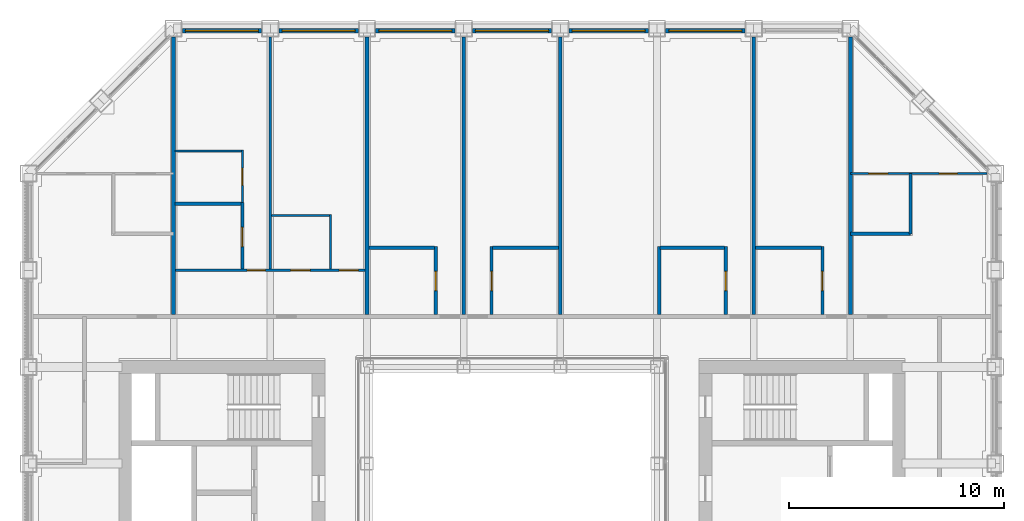
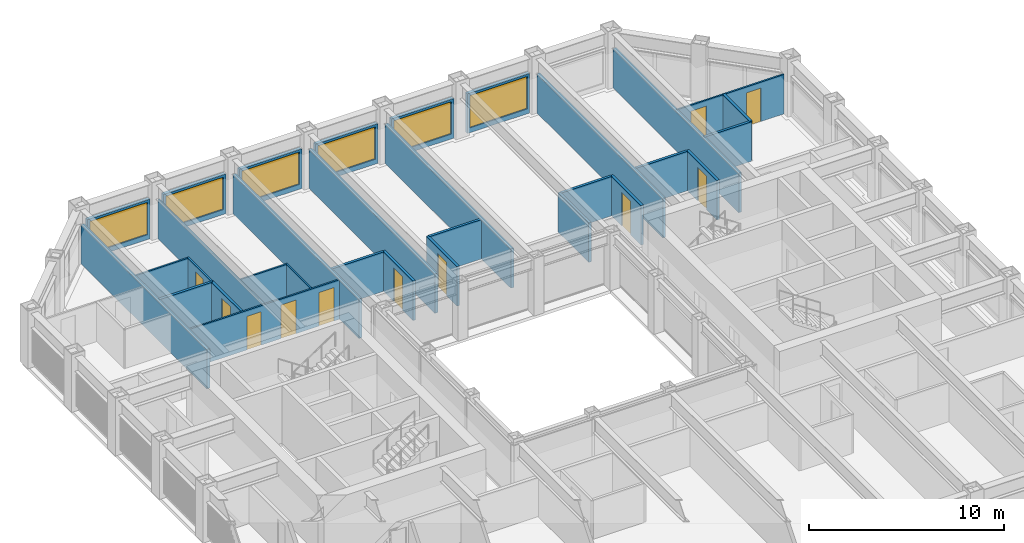
# One storey, part 13 of 17: 32 walls, 11 doors, 6 windows, 17 openings.
"""IFC4 building model written with IfcOpenShell, lengths in metres."""

from ifc_helpers import new_model, si_unit, direction, frame, frame_2d, origin, place, context, subcontext, project, spatial, rectangle, extrude, material, layer, layer_set, type_object, element, fill, save


model = new_model("IFC4")

# Units and contexts
model_context = context("Model", 3, precision=1e-05, world=origin(), true_north=direction((0.0, 1.0)))
body_context = subcontext(model_context, "Body", "Model", "MODEL_VIEW")
ifc_project = project(units=[si_unit("LENGTHUNIT", "METRE"), si_unit("AREAUNIT", "SQUARE_METRE"), si_unit("VOLUMEUNIT", "CUBIC_METRE"), si_unit("PLANEANGLEUNIT", "RADIAN"), si_unit("MASSUNIT", "GRAM", prefix="KILO")], contexts=[model_context])

# Site, building, storey
site_placement = place(None, origin())
site = spatial("IfcSite", under=ifc_project, at=site_placement, CompositionType="ELEMENT")
building_placement = place(site_placement, origin())
building = spatial("IfcBuilding", under=site, at=building_placement, Name="Msasa Ring Tower", CompositionType="ELEMENT")
storey_placement = place(building_placement, frame((0.0, 0.0, 179.60009765625)))
storey = spatial("IfcBuildingStorey", under=building, at=storey_placement, Name="L47", CompositionType="ELEMENT", Elevation=179.60009765625)

# Wall, opening, window
ifc_material_1 = material(Name="Terracotta rainscreen on blockwork", Category="masonry")
ifc_layer_1 = layer(ifc_material_1, 0.199951171875)
ifc_layer_set_1 = layer_set([ifc_layer_1], Name="FW1 TERRACOTTA-LINED INFILL BAY WALL 200")
wall_type_1 = type_object("IfcWallType", Name="FW1 TERRACOTTA-LINED INFILL BAY WALL 200", PredefinedType="SOLIDWALL", material=ifc_layer_set_1)
wall_1_placement = place(storey_placement, frame((-15.344970703125, 22.39990234375, 0.0), z_axis=(0.0, 0.0, 1.0), x_axis=(1.0, 0.0, 0.0)))
wall_1 = element("IfcWall", 1, at=wall_1_placement, inside=storey, type_object=wall_type_1, Name="Infill bay wall N L47 18", PredefinedType="SOLIDWALL", context=body_context, shape_type="SweptSolid", body=[
    extrude(rectangle(XDim=3.68994140625, YDim=0.199951171875, at=frame_2d((1.844970703125, 0.0))), origin(), (0.0, 0.0, 1.0), 2.47900390625),
])
opening_1_placement = place(wall_1_placement, frame((0.14501953125, 0.0, 0.300048828125)))
opening_1 = element("IfcOpeningElement", 2, at=opening_1_placement, cuts=wall_1, Name="Opening WN2", PredefinedType="OPENING", context=body_context, shape_type="SweptSolid", body=[
    extrude(rectangle(XDim=3.39990234375, YDim=2.029052734375, at=frame_2d((1.699951171875, 1.0146484375))), frame((0.0, 0.10986328125, 0.0), z_axis=(0.0, -1.0, 0.0), x_axis=(1.0, 0.0, 0.0)), (0.0, 0.0, 1.0), 0.219970703125),
])
ifc_material_2 = material(Name="Aluminium frame with clear glass", Category="aluminium")
window_type = type_object("IfcWindowType", Name="WN2 GUEST ROOM WINDOW 3400x2029", PartitioningType="SINGLE_PANEL", PredefinedType="WINDOW", material=ifc_material_2)
window_1_placement = place(opening_1_placement, origin())
window_1 = element("IfcWindow", 3, at=window_1_placement, inside=storey, type_object=window_type, Name="Window N L47 18", OverallHeight=2.029052734375, OverallWidth=3.39990234375, PartitioningType="SINGLE_PANEL", PredefinedType="WINDOW", context=body_context, shape_type="SweptSolid", body=[
    extrude(rectangle(XDim=3.39990234375, YDim=2.029052734375, at=frame_2d((1.699951171875, 1.0146484375))), frame((0.0, 0.030029296875, 0.0), z_axis=(0.0, -1.0, 0.0), x_axis=(1.0, 0.0, 0.0)), (0.0, 0.0, 1.0), 0.06005859375),
])
fill(opening_1, window_1)

wall_2_placement = place(storey_placement, frame((-10.844970703125, 22.39990234375, 0.0), z_axis=(0.0, 0.0, 1.0), x_axis=(1.0, 0.0, 0.0)))
wall_2 = element("IfcWall", 4, at=wall_2_placement, inside=storey, type_object=wall_type_1, Name="Infill bay wall N L47 19", PredefinedType="SOLIDWALL", context=body_context, shape_type="SweptSolid", body=[
    extrude(rectangle(XDim=3.68994140625, YDim=0.199951171875, at=frame_2d((1.844970703125, 0.0))), origin(), (0.0, 0.0, 1.0), 2.47900390625),
])
opening_2_placement = place(wall_2_placement, frame((0.14501953125, 0.0, 0.300048828125)))
opening_2 = element("IfcOpeningElement", 5, at=opening_2_placement, cuts=wall_2, Name="Opening WN2", PredefinedType="OPENING", context=body_context, shape_type="SweptSolid", body=[
    extrude(rectangle(XDim=3.39990234375, YDim=2.029052734375, at=frame_2d((1.699951171875, 1.0146484375))), frame((0.0, 0.10986328125, 0.0), z_axis=(0.0, -1.0, 0.0), x_axis=(1.0, 0.0, 0.0)), (0.0, 0.0, 1.0), 0.219970703125),
])
window_2_placement = place(opening_2_placement, origin())
window_2 = element("IfcWindow", 6, at=window_2_placement, inside=storey, type_object=window_type, Name="Window N L47 19", OverallHeight=2.029052734375, OverallWidth=3.39990234375, PartitioningType="SINGLE_PANEL", PredefinedType="WINDOW", context=body_context, shape_type="SweptSolid", body=[
    extrude(rectangle(XDim=3.39990234375, YDim=2.029052734375, at=frame_2d((1.699951171875, 1.0146484375))), frame((0.0, 0.030029296875, 0.0), z_axis=(0.0, -1.0, 0.0), x_axis=(1.0, 0.0, 0.0)), (0.0, 0.0, 1.0), 0.06005859375),
])
fill(opening_2, window_2)

wall_3_placement = place(storey_placement, frame((-6.344970703125, 22.39990234375, 0.0), z_axis=(0.0, 0.0, 1.0), x_axis=(1.0, 0.0, 0.0)))
wall_3 = element("IfcWall", 7, at=wall_3_placement, inside=storey, type_object=wall_type_1, Name="Infill bay wall N L47 20", PredefinedType="SOLIDWALL", context=body_context, shape_type="SweptSolid", body=[
    extrude(rectangle(XDim=3.68994140625, YDim=0.199951171875, at=frame_2d((1.844970703125, 0.0))), origin(), (0.0, 0.0, 1.0), 2.47900390625),
])
opening_3_placement = place(wall_3_placement, frame((0.14501953125, 0.0, 0.300048828125)))
opening_3 = element("IfcOpeningElement", 8, at=opening_3_placement, cuts=wall_3, Name="Opening WN2", PredefinedType="OPENING", context=body_context, shape_type="SweptSolid", body=[
    extrude(rectangle(XDim=3.39990234375, YDim=2.029052734375, at=frame_2d((1.699951171875, 1.0146484375))), frame((0.0, 0.10986328125, 0.0), z_axis=(0.0, -1.0, 0.0), x_axis=(1.0, 0.0, 0.0)), (0.0, 0.0, 1.0), 0.219970703125),
])
window_3_placement = place(opening_3_placement, origin())
window_3 = element("IfcWindow", 9, at=window_3_placement, inside=storey, type_object=window_type, Name="Window N L47 20", OverallHeight=2.029052734375, OverallWidth=3.39990234375, PartitioningType="SINGLE_PANEL", PredefinedType="WINDOW", context=body_context, shape_type="SweptSolid", body=[
    extrude(rectangle(XDim=3.39990234375, YDim=2.029052734375, at=frame_2d((1.699951171875, 1.0146484375))), frame((0.0, 0.030029296875, 0.0), z_axis=(0.0, -1.0, 0.0), x_axis=(1.0, 0.0, 0.0)), (0.0, 0.0, 1.0), 0.06005859375),
])
fill(opening_3, window_3)

wall_4_placement = place(storey_placement, frame((-1.844970703125, 22.39990234375, 0.0), z_axis=(0.0, 0.0, 1.0), x_axis=(1.0, 0.0, 0.0)))
wall_4 = element("IfcWall", 10, at=wall_4_placement, inside=storey, type_object=wall_type_1, Name="Infill bay wall N L47 21", PredefinedType="SOLIDWALL", context=body_context, shape_type="SweptSolid", body=[
    extrude(rectangle(XDim=3.68994140625, YDim=0.199951171875, at=frame_2d((1.844970703125, 0.0))), origin(), (0.0, 0.0, 1.0), 2.47900390625),
])
opening_4_placement = place(wall_4_placement, frame((0.14501953125, 0.0, 0.300048828125)))
opening_4 = element("IfcOpeningElement", 11, at=opening_4_placement, cuts=wall_4, Name="Opening WN2", PredefinedType="OPENING", context=body_context, shape_type="SweptSolid", body=[
    extrude(rectangle(XDim=3.39990234375, YDim=2.029052734375, at=frame_2d((1.699951171875, 1.0146484375))), frame((0.0, 0.10986328125, 0.0), z_axis=(0.0, -1.0, 0.0), x_axis=(1.0, 0.0, 0.0)), (0.0, 0.0, 1.0), 0.219970703125),
])
window_4_placement = place(opening_4_placement, origin())
window_4 = element("IfcWindow", 12, at=window_4_placement, inside=storey, type_object=window_type, Name="Window N L47 21", OverallHeight=2.029052734375, OverallWidth=3.39990234375, PartitioningType="SINGLE_PANEL", PredefinedType="WINDOW", context=body_context, shape_type="SweptSolid", body=[
    extrude(rectangle(XDim=3.39990234375, YDim=2.029052734375, at=frame_2d((1.699951171875, 1.0146484375))), frame((0.0, 0.030029296875, 0.0), z_axis=(0.0, -1.0, 0.0), x_axis=(1.0, 0.0, 0.0)), (0.0, 0.0, 1.0), 0.06005859375),
])
fill(opening_4, window_4)

wall_5_placement = place(storey_placement, frame((2.655029296875, 22.39990234375, 0.0), z_axis=(0.0, 0.0, 1.0), x_axis=(1.0, 0.0, 0.0)))
wall_5 = element("IfcWall", 13, at=wall_5_placement, inside=storey, type_object=wall_type_1, Name="Infill bay wall N L47 22", PredefinedType="SOLIDWALL", context=body_context, shape_type="SweptSolid", body=[
    extrude(rectangle(XDim=3.68994140625, YDim=0.199951171875, at=frame_2d((1.844970703125, 0.0))), origin(), (0.0, 0.0, 1.0), 2.47900390625),
])
opening_5_placement = place(wall_5_placement, frame((0.14501953125, 0.0, 0.300048828125)))
opening_5 = element("IfcOpeningElement", 14, at=opening_5_placement, cuts=wall_5, Name="Opening WN2", PredefinedType="OPENING", context=body_context, shape_type="SweptSolid", body=[
    extrude(rectangle(XDim=3.39990234375, YDim=2.029052734375, at=frame_2d((1.699951171875, 1.0146484375))), frame((0.0, 0.10986328125, 0.0), z_axis=(0.0, -1.0, 0.0), x_axis=(1.0, 0.0, 0.0)), (0.0, 0.0, 1.0), 0.219970703125),
])
window_5_placement = place(opening_5_placement, origin())
window_5 = element("IfcWindow", 15, at=window_5_placement, inside=storey, type_object=window_type, Name="Window N L47 22", OverallHeight=2.029052734375, OverallWidth=3.39990234375, PartitioningType="SINGLE_PANEL", PredefinedType="WINDOW", context=body_context, shape_type="SweptSolid", body=[
    extrude(rectangle(XDim=3.39990234375, YDim=2.029052734375, at=frame_2d((1.699951171875, 1.0146484375))), frame((0.0, 0.030029296875, 0.0), z_axis=(0.0, -1.0, 0.0), x_axis=(1.0, 0.0, 0.0)), (0.0, 0.0, 1.0), 0.06005859375),
])
fill(opening_5, window_5)

wall_6_placement = place(storey_placement, frame((7.155029296875, 22.39990234375, 0.0), z_axis=(0.0, 0.0, 1.0), x_axis=(1.0, 0.0, 0.0)))
wall_6 = element("IfcWall", 16, at=wall_6_placement, inside=storey, type_object=wall_type_1, Name="Infill bay wall N L47 23", PredefinedType="SOLIDWALL", context=body_context, shape_type="SweptSolid", body=[
    extrude(rectangle(XDim=3.68994140625, YDim=0.199951171875, at=frame_2d((1.844970703125, 0.0))), origin(), (0.0, 0.0, 1.0), 2.47900390625),
])
opening_6_placement = place(wall_6_placement, frame((0.14501953125, 0.0, 0.300048828125)))
opening_6 = element("IfcOpeningElement", 17, at=opening_6_placement, cuts=wall_6, Name="Opening WN2", PredefinedType="OPENING", context=body_context, shape_type="SweptSolid", body=[
    extrude(rectangle(XDim=3.39990234375, YDim=2.029052734375, at=frame_2d((1.699951171875, 1.0146484375))), frame((0.0, 0.10986328125, 0.0), z_axis=(0.0, -1.0, 0.0), x_axis=(1.0, 0.0, 0.0)), (0.0, 0.0, 1.0), 0.219970703125),
])
window_6_placement = place(opening_6_placement, origin())
window_6 = element("IfcWindow", 18, at=window_6_placement, inside=storey, type_object=window_type, Name="Window N L47 23", OverallHeight=2.029052734375, OverallWidth=3.39990234375, PartitioningType="SINGLE_PANEL", PredefinedType="WINDOW", context=body_context, shape_type="SweptSolid", body=[
    extrude(rectangle(XDim=3.39990234375, YDim=2.029052734375, at=frame_2d((1.699951171875, 1.0146484375))), frame((0.0, 0.030029296875, 0.0), z_axis=(0.0, -1.0, 0.0), x_axis=(1.0, 0.0, 0.0)), (0.0, 0.0, 1.0), 0.06005859375),
])
fill(opening_6, window_6)

# Wall, openings, doors
ifc_material_3 = material(Name="Gypsum board on steel studs", Category="steel")
ifc_layer_2 = layer(ifc_material_3, 0.10009765625)
ifc_layer_set_2 = layer_set([ifc_layer_2], Name="PT2 STUD PARTITION 100")
wall_type_2 = type_object("IfcWallType", Name="PT2 STUD PARTITION 100", PredefinedType="PARTITIONING", material=ifc_layer_set_2)
wall_7_placement = place(storey_placement, frame((-15.66259765625, 11.25, 0.0), z_axis=(0.0, 0.0, 1.0), x_axis=(1.0, 0.0, 0.0)))
wall_7 = element("IfcWall", 19, at=wall_7_placement, inside=storey, type_object=wall_type_2, Name="Partition L47-GN00HY", PredefinedType="PARTITIONING", context=body_context, shape_type="SweptSolid", body=[
    extrude(rectangle(XDim=8.8251953125, YDim=0.10009765625, at=frame_2d((4.41259765625, 0.0))), origin(), (0.0, 0.0, 1.0), 2.473388671875),
])
opening_7_placement = place(wall_7_placement, frame((5.362548828125, 0.0, 0.0)))
opening_7 = element("IfcOpeningElement", 20, at=opening_7_placement, cuts=wall_7, Name="Opening HF-008", PredefinedType="OPENING", context=body_context, shape_type="SweptSolid", body=[
    extrude(rectangle(XDim=0.89990234375, YDim=2.10009765625, at=frame_2d((0.449951171875, 1.050048828125))), frame((0.0, 0.06005859375, 0.0), z_axis=(0.0, -1.0, 0.0), x_axis=(1.0, 0.0, 0.0)), (0.0, 0.0, 1.0), 0.1201171875),
])
opening_8_placement = place(wall_7_placement, frame((7.612548828125, 0.0, 0.0)))
opening_8 = element("IfcOpeningElement", 21, at=opening_8_placement, cuts=wall_7, Name="Opening HF-009", PredefinedType="OPENING", context=body_context, shape_type="SweptSolid", body=[
    extrude(rectangle(XDim=0.89990234375, YDim=2.10009765625, at=frame_2d((0.449951171875, 1.050048828125))), frame((0.0, 0.06005859375, 0.0), z_axis=(0.0, -1.0, 0.0), x_axis=(1.0, 0.0, 0.0)), (0.0, 0.0, 1.0), 0.1201171875),
])
opening_9_placement = place(wall_7_placement, frame((3.33740234375, 0.0, 0.0)))
opening_9 = element("IfcOpeningElement", 22, at=opening_9_placement, cuts=wall_7, Name="Opening HF-007", PredefinedType="OPENING", context=body_context, shape_type="SweptSolid", body=[
    extrude(rectangle(XDim=0.85009765625, YDim=2.10009765625, at=frame_2d((0.425048828125, 1.050048828125))), frame((0.0, 0.06005859375, 0.0), z_axis=(0.0, -1.0, 0.0), x_axis=(1.0, 0.0, 0.0)), (0.0, 0.0, 1.0), 0.1201171875),
])
ifc_material_4 = material(Name="Timber door leaf in a steel frame", Category="steel")
door_type_1 = type_object("IfcDoorType", Name="D14 BEDROOM DOOR 850x2100", OperationType="SINGLE_SWING_LEFT", PredefinedType="DOOR", material=ifc_material_4)
door_1_placement = place(opening_9_placement, origin())
door_1 = element("IfcDoor", 23, at=door_1_placement, inside=storey, type_object=door_type_1, Name="Door L47-GN00R1", OperationType="SINGLE_SWING_LEFT", OverallHeight=2.10009765625, OverallWidth=0.85009765625, PredefinedType="DOOR", context=body_context, shape_type="SweptSolid", body=[
    extrude(rectangle(XDim=0.85009765625, YDim=2.10009765625, at=frame_2d((0.425048828125, 1.050048828125))), frame((0.0, 0.02490234375, 0.0), z_axis=(0.0, -1.0, 0.0), x_axis=(1.0, 0.0, 0.0)), (0.0, 0.0, 1.0), 0.050048828125),
])
fill(opening_9, door_1)
ifc_material_5 = material(Name="Timber door leaf in a steel frame", Category="steel")
door_type_2 = type_object("IfcDoorType", Name="D22 INTERNAL HALL DOOR 900x2100", OperationType="SINGLE_SWING_LEFT", PredefinedType="DOOR", material=ifc_material_5)
door_2_placement = place(opening_7_placement, origin())
door_2 = element("IfcDoor", 24, at=door_2_placement, inside=storey, type_object=door_type_2, Name="Door L47-GN00K", OperationType="SINGLE_SWING_RIGHT", OverallHeight=2.10009765625, OverallWidth=0.89990234375, PredefinedType="DOOR", context=body_context, shape_type="SweptSolid", body=[
    extrude(rectangle(XDim=0.89990234375, YDim=2.10009765625, at=frame_2d((0.449951171875, 1.050048828125))), frame((0.0, 0.02490234375, 0.0), z_axis=(0.0, -1.0, 0.0), x_axis=(1.0, 0.0, 0.0)), (0.0, 0.0, 1.0), 0.050048828125),
])
fill(opening_7, door_2)
door_3_placement = place(opening_8_placement, origin())
door_3 = element("IfcDoor", 25, at=door_3_placement, inside=storey, type_object=door_type_2, Name="Door L47-GN00L", OperationType="SINGLE_SWING_RIGHT", OverallHeight=2.10009765625, OverallWidth=0.89990234375, PredefinedType="DOOR", context=body_context, shape_type="SweptSolid", body=[
    extrude(rectangle(XDim=0.89990234375, YDim=2.10009765625, at=frame_2d((0.449951171875, 1.050048828125))), frame((0.0, 0.02490234375, 0.0), z_axis=(0.0, -1.0, 0.0), x_axis=(1.0, 0.0, 0.0)), (0.0, 0.0, 1.0), 0.050048828125),
])
fill(opening_8, door_3)

# Walls
wall_8_placement = place(storey_placement, frame((-8.449951171875, 11.300048828125, 0.0), z_axis=(0.0, 0.0, 1.0), x_axis=(0.0, 1.0, 0.0)))
element("IfcWall", 26, at=wall_8_placement, inside=storey, type_object=wall_type_2, Name="Partition L47-GN00KX", PredefinedType="PARTITIONING", context=body_context, shape_type="SweptSolid", body=[
    extrude(rectangle(XDim=2.550048828125, YDim=0.10009765625, at=frame_2d((1.27490234375, 0.0))), origin(), (0.0, 0.0, 1.0), 2.473388671875),
])
wall_9_placement = place(storey_placement, frame((-11.199951171875, 13.800048828125, 0.0), z_axis=(0.0, 0.0, 1.0), x_axis=(1.0, 0.0, 0.0)))
element("IfcWall", 27, at=wall_9_placement, inside=storey, type_object=wall_type_2, Name="Partition L47-GN00KY", PredefinedType="PARTITIONING", context=body_context, shape_type="SweptSolid", body=[
    extrude(rectangle(XDim=2.75, YDim=0.10009765625, at=frame_2d((1.375, 0.0))), origin(), (0.0, 0.0, 1.0), 2.473388671875),
])
wall_10_placement = place(storey_placement, frame((-11.25, 11.300048828125, 0.0), z_axis=(0.0, 0.0, 1.0), x_axis=(0.0, 1.0, 0.0)))
element("IfcWall", 28, at=wall_10_placement, inside=storey, type_object=wall_type_2, Name="Partition L47-GN00P1", PredefinedType="PARTITIONING", context=body_context, shape_type="SweptSolid", body=[
    extrude(rectangle(XDim=10.800048828125, YDim=0.10009765625, at=frame_2d((5.39990234375, 0.0))), origin(), (0.0, 0.0, 1.0), 2.473388671875),
])

# Wall, opening, door
wall_11_placement = place(storey_placement, frame((-12.550048828125, 14.39990234375, 0.0), z_axis=(0.0, 0.0, 1.0), x_axis=(0.0, 1.0, 0.0)))
wall_11 = element("IfcWall", 29, at=wall_11_placement, inside=storey, type_object=wall_type_2, Name="Partition L47-GN00WX1", PredefinedType="PARTITIONING", context=body_context, shape_type="SweptSolid", body=[
    extrude(rectangle(XDim=2.4501953125, YDim=0.10009765625, at=frame_2d((1.22509765625, 0.0))), origin(), (0.0, 0.0, 1.0), 2.473388671875),
])
opening_10_placement = place(wall_11_placement, frame((0.800048828125, 0.0, 0.0)))
opening_10 = element("IfcOpeningElement", 30, at=opening_10_placement, cuts=wall_11, Name="Opening HF-005", PredefinedType="OPENING", context=body_context, shape_type="SweptSolid", body=[
    extrude(rectangle(XDim=0.800048828125, YDim=2.10009765625, at=frame_2d((0.39990234375, 1.050048828125))), frame((0.0, 0.06005859375, 0.0), z_axis=(0.0, -1.0, 0.0), x_axis=(1.0, 0.0, 0.0)), (0.0, 0.0, 1.0), 0.1201171875),
])
ifc_material_6 = material(Name="Timber door leaf in a steel frame", Category="steel")
door_type_3 = type_object("IfcDoorType", Name="D60 DRESSING ROOM DOOR 800x2100", OperationType="SINGLE_SWING_LEFT", PredefinedType="DOOR", material=ifc_material_6)
door_4_placement = place(opening_10_placement, origin())
door_4 = element("IfcDoor", 31, at=door_4_placement, inside=storey, type_object=door_type_3, Name="Door L47-GN00W1", OperationType="SINGLE_SWING_LEFT", OverallHeight=2.10009765625, OverallWidth=0.800048828125, PredefinedType="DOOR", context=body_context, shape_type="SweptSolid", body=[
    extrude(rectangle(XDim=0.800048828125, YDim=2.10009765625, at=frame_2d((0.39990234375, 1.050048828125))), frame((0.0, 0.02490234375, 0.0), z_axis=(0.0, -1.0, 0.0), x_axis=(1.0, 0.0, 0.0)), (0.0, 0.0, 1.0), 0.050048828125),
])
fill(opening_10, door_4)

# Wall
wall_12_placement = place(storey_placement, frame((-15.68994140625, 16.800048828125, 0.0), z_axis=(0.0, 0.0, 1.0), x_axis=(1.0, 0.0, 0.0)))
element("IfcWall", 32, at=wall_12_placement, inside=storey, type_object=wall_type_2, Name="Partition L47-GN00WY1", PredefinedType="PARTITIONING", context=body_context, shape_type="SweptSolid", body=[
    extrude(rectangle(XDim=3.139892578125, YDim=0.10009765625, at=frame_2d((1.56982421875, 0.0))), origin(), (0.0, 0.0, 1.0), 2.473388671875),
])

# Wall, openings, doors
wall_13_placement = place(storey_placement, frame((15.75, 15.75, 0.0), z_axis=(0.0, 0.0, 1.0), x_axis=(1.0, 0.0, 0.0)))
wall_13 = element("IfcWall", 33, at=wall_13_placement, inside=storey, type_object=wall_type_2, Name="Partition L47-CSNEX", PredefinedType="PARTITIONING", context=body_context, shape_type="SweptSolid", body=[
    extrude(rectangle(XDim=6.35009765625, YDim=0.10009765625, at=frame_2d((3.175048828125, 0.0))), origin(), (0.0, 0.0, 1.0), 2.473388671875),
])
opening_11_placement = place(wall_13_placement, frame((4.125, 0.0, 0.0)))
opening_11 = element("IfcOpeningElement", 34, at=opening_11_placement, cuts=wall_13, Name="Opening HF-004", PredefinedType="OPENING", context=body_context, shape_type="SweptSolid", body=[
    extrude(rectangle(XDim=0.85009765625, YDim=2.10009765625, at=frame_2d((0.425048828125, 1.050048828125))), frame((0.0, 0.06005859375, 0.0), z_axis=(0.0, -1.0, 0.0), x_axis=(1.0, 0.0, 0.0)), (0.0, 0.0, 1.0), 0.1201171875),
])
opening_12_placement = place(wall_13_placement, frame((0.85009765625, 0.0, 0.0)))
opening_12 = element("IfcOpeningElement", 35, at=opening_12_placement, cuts=wall_13, Name="Opening HF-003", PredefinedType="OPENING", context=body_context, shape_type="SweptSolid", body=[
    extrude(rectangle(XDim=0.89990234375, YDim=2.10009765625, at=frame_2d((0.449951171875, 1.050048828125))), frame((0.0, 0.06005859375, 0.0), z_axis=(0.0, -1.0, 0.0), x_axis=(1.0, 0.0, 0.0)), (0.0, 0.0, 1.0), 0.1201171875),
])
door_5_placement = place(opening_11_placement, origin())
door_5 = element("IfcDoor", 36, at=door_5_placement, inside=storey, type_object=door_type_1, Name="Door L47-CSNER1", OperationType="SINGLE_SWING_RIGHT", OverallHeight=2.10009765625, OverallWidth=0.85009765625, PredefinedType="DOOR", context=body_context, shape_type="SweptSolid", body=[
    extrude(rectangle(XDim=0.85009765625, YDim=2.10009765625, at=frame_2d((0.425048828125, 1.050048828125))), frame((0.0, 0.02490234375, 0.0), z_axis=(0.0, -1.0, 0.0), x_axis=(1.0, 0.0, 0.0)), (0.0, 0.0, 1.0), 0.050048828125),
])
fill(opening_11, door_5)
ifc_material_7 = material(Name="Timber door leaf in a steel frame", Category="steel")
door_type_4 = type_object("IfcDoorType", Name="D3 BATHROOM DOOR 900x2100", OperationType="SINGLE_SWING_LEFT", PredefinedType="DOOR", material=ifc_material_7)
door_6_placement = place(opening_12_placement, origin())
door_6 = element("IfcDoor", 37, at=door_6_placement, inside=storey, type_object=door_type_4, Name="Door L47-CSNEB1", OperationType="SINGLE_SWING_LEFT", OverallHeight=2.10009765625, OverallWidth=0.89990234375, PredefinedType="DOOR", context=body_context, shape_type="SweptSolid", body=[
    extrude(rectangle(XDim=0.89990234375, YDim=2.10009765625, at=frame_2d((0.449951171875, 1.050048828125))), frame((0.0, 0.02490234375, 0.0), z_axis=(0.0, -1.0, 0.0), x_axis=(1.0, 0.0, 0.0)), (0.0, 0.0, 1.0), 0.050048828125),
])
fill(opening_12, door_6)

# Wall, opening, door
ifc_material_8 = material(Name="Moisture-resistant board on steel studs with a concealed cistern and pipe void, tiled", Category="steel")
ifc_layer_3 = layer(ifc_material_8, 0.14990234375)
ifc_layer_set_3 = layer_set([ifc_layer_3], Name="PT4 BATHROOM WET WALL 150")
wall_type_3 = type_object("IfcWallType", Name="PT4 BATHROOM WET WALL 150", PredefinedType="PARTITIONING", material=ifc_layer_set_3)
wall_14_placement = place(storey_placement, frame((-12.550048828125, 11.300048828125, 0.0), z_axis=(0.0, 0.0, 1.0), x_axis=(0.0, 1.0, 0.0)))
wall_14 = element("IfcWall", 38, at=wall_14_placement, inside=storey, type_object=wall_type_3, Name="Partition L47-GN00BX1", PredefinedType="PARTITIONING", context=body_context, shape_type="SweptSolid", body=[
    extrude(rectangle(XDim=3.099853515625, YDim=0.14990234375, at=frame_2d((1.5498046875, 0.0))), origin(), (0.0, 0.0, 1.0), 2.473388671875),
])
opening_13_placement = place(wall_14_placement, frame((1.050048828125, 0.0, 0.0)))
opening_13 = element("IfcOpeningElement", 39, at=opening_13_placement, cuts=wall_14, Name="Opening HF-006", PredefinedType="OPENING", context=body_context, shape_type="SweptSolid", body=[
    extrude(rectangle(XDim=0.89990234375, YDim=2.10009765625, at=frame_2d((0.449951171875, 1.050048828125))), frame((0.0, 0.0849609375, 0.0), z_axis=(0.0, -1.0, 0.0), x_axis=(1.0, 0.0, 0.0)), (0.0, 0.0, 1.0), 0.169921875),
])
door_7_placement = place(opening_13_placement, origin())
door_7 = element("IfcDoor", 40, at=door_7_placement, inside=storey, type_object=door_type_4, Name="Door L47-GN00B1", OperationType="SINGLE_SWING_LEFT", OverallHeight=2.10009765625, OverallWidth=0.89990234375, PredefinedType="DOOR", context=body_context, shape_type="SweptSolid", body=[
    extrude(rectangle(XDim=0.89990234375, YDim=2.10009765625, at=frame_2d((0.449951171875, 1.050048828125))), frame((0.0, 0.02490234375, 0.0), z_axis=(0.0, -1.0, 0.0), x_axis=(1.0, 0.0, 0.0)), (0.0, 0.0, 1.0), 0.050048828125),
])
fill(opening_13, door_7)

# Wall
wall_15_placement = place(storey_placement, frame((-15.68994140625, 14.35009765625, 0.0), z_axis=(0.0, 0.0, 1.0), x_axis=(1.0, 0.0, 0.0)))
element("IfcWall", 41, at=wall_15_placement, inside=storey, type_object=wall_type_3, Name="Partition L47-GN00BY1", PredefinedType="PARTITIONING", context=body_context, shape_type="SweptSolid", body=[
    extrude(rectangle(XDim=3.139892578125, YDim=0.14990234375, at=frame_2d((1.56982421875, 0.0))), origin(), (0.0, 0.0, 1.0), 2.473388671875),
])

# Wall, opening, door
wall_16_placement = place(storey_placement, frame((-3.550048828125, 9.199951171875, 0.0), z_axis=(0.0, 0.0, 1.0), x_axis=(0.0, 1.0, 0.0)))
wall_16 = element("IfcWall", 42, at=wall_16_placement, inside=storey, type_object=wall_type_3, Name="Partition L47-GN01BX", PredefinedType="PARTITIONING", context=body_context, shape_type="SweptSolid", body=[
    extrude(rectangle(XDim=3.150146484375, YDim=0.14990234375, at=frame_2d((1.5751953125, 0.0))), origin(), (0.0, 0.0, 1.0), 2.473388671875),
])
opening_14_placement = place(wall_16_placement, frame((1.10009765625, 0.0, 0.0)))
opening_14 = element("IfcOpeningElement", 43, at=opening_14_placement, cuts=wall_16, Name="Opening HF-010", PredefinedType="OPENING", context=body_context, shape_type="SweptSolid", body=[
    extrude(rectangle(XDim=0.89990234375, YDim=2.10009765625, at=frame_2d((0.449951171875, 1.050048828125))), frame((0.0, 0.0849609375, 0.0), z_axis=(0.0, -1.0, 0.0), x_axis=(1.0, 0.0, 0.0)), (0.0, 0.0, 1.0), 0.169921875),
])
door_8_placement = place(opening_14_placement, origin())
door_8 = element("IfcDoor", 44, at=door_8_placement, inside=storey, type_object=door_type_4, Name="Door L47-GN01B", OperationType="SINGLE_SWING_LEFT", OverallHeight=2.10009765625, OverallWidth=0.89990234375, PredefinedType="DOOR", context=body_context, shape_type="SweptSolid", body=[
    extrude(rectangle(XDim=0.89990234375, YDim=2.10009765625, at=frame_2d((0.449951171875, 1.050048828125))), frame((0.0, 0.02490234375, 0.0), z_axis=(0.0, -1.0, 0.0), x_axis=(1.0, 0.0, 0.0)), (0.0, 0.0, 1.0), 0.050048828125),
])
fill(opening_14, door_8)

# Wall
wall_17_placement = place(storey_placement, frame((-6.66259765625, 12.300048828125, 0.0), z_axis=(0.0, 0.0, 1.0), x_axis=(1.0, 0.0, 0.0)))
element("IfcWall", 45, at=wall_17_placement, inside=storey, type_object=wall_type_3, Name="Partition L47-GN01BY", PredefinedType="PARTITIONING", context=body_context, shape_type="SweptSolid", body=[
    extrude(rectangle(XDim=3.0625, YDim=0.14990234375, at=frame_2d((1.53125, 0.0))), origin(), (0.0, 0.0, 1.0), 2.473388671875),
])

# Wall, opening, door
wall_18_placement = place(storey_placement, frame((-0.949951171875, 9.199951171875, 0.0), z_axis=(0.0, 0.0, 1.0), x_axis=(0.0, 1.0, 0.0)))
wall_18 = element("IfcWall", 46, at=wall_18_placement, inside=storey, type_object=wall_type_3, Name="Partition L47-GN02BX", PredefinedType="PARTITIONING", context=body_context, shape_type="SweptSolid", body=[
    extrude(rectangle(XDim=3.150146484375, YDim=0.14990234375, at=frame_2d((1.5751953125, 0.0))), origin(), (0.0, 0.0, 1.0), 2.473388671875),
])
opening_15_placement = place(wall_18_placement, frame((1.10009765625, 0.0, 0.0)))
opening_15 = element("IfcOpeningElement", 47, at=opening_15_placement, cuts=wall_18, Name="Opening HF-011", PredefinedType="OPENING", context=body_context, shape_type="SweptSolid", body=[
    extrude(rectangle(XDim=0.89990234375, YDim=2.10009765625, at=frame_2d((0.449951171875, 1.050048828125))), frame((0.0, 0.0849609375, 0.0), z_axis=(0.0, -1.0, 0.0), x_axis=(1.0, 0.0, 0.0)), (0.0, 0.0, 1.0), 0.169921875),
])
door_9_placement = place(opening_15_placement, origin())
door_9 = element("IfcDoor", 48, at=door_9_placement, inside=storey, type_object=door_type_4, Name="Door L47-GN02B", OperationType="SINGLE_SWING_LEFT", OverallHeight=2.10009765625, OverallWidth=0.89990234375, PredefinedType="DOOR", context=body_context, shape_type="SweptSolid", body=[
    extrude(rectangle(XDim=0.89990234375, YDim=2.10009765625, at=frame_2d((0.449951171875, 1.050048828125))), frame((0.0, 0.02490234375, 0.0), z_axis=(0.0, -1.0, 0.0), x_axis=(1.0, 0.0, 0.0)), (0.0, 0.0, 1.0), 0.050048828125),
])
fill(opening_15, door_9)

# Wall
wall_19_placement = place(storey_placement, frame((-0.89990234375, 12.300048828125, 0.0), z_axis=(0.0, 0.0, 1.0), x_axis=(1.0, 0.0, 0.0)))
element("IfcWall", 49, at=wall_19_placement, inside=storey, type_object=wall_type_3, Name="Partition L47-GN02BY", PredefinedType="PARTITIONING", context=body_context, shape_type="SweptSolid", body=[
    extrude(rectangle(XDim=3.0625, YDim=0.14990234375, at=frame_2d((1.53125, 0.0))), origin(), (0.0, 0.0, 1.0), 2.473388671875),
])

# Wall, opening, door
wall_20_placement = place(storey_placement, frame((9.949951171875, 9.199951171875, 0.0), z_axis=(0.0, 0.0, 1.0), x_axis=(0.0, 1.0, 0.0)))
wall_20 = element("IfcWall", 50, at=wall_20_placement, inside=storey, type_object=wall_type_3, Name="Partition L47-GN03BX", PredefinedType="PARTITIONING", context=body_context, shape_type="SweptSolid", body=[
    extrude(rectangle(XDim=3.150146484375, YDim=0.14990234375, at=frame_2d((1.5751953125, 0.0))), origin(), (0.0, 0.0, 1.0), 2.473388671875),
])
opening_16_placement = place(wall_20_placement, frame((1.10009765625, 0.0, 0.0)))
opening_16 = element("IfcOpeningElement", 51, at=opening_16_placement, cuts=wall_20, Name="Opening HF-012", PredefinedType="OPENING", context=body_context, shape_type="SweptSolid", body=[
    extrude(rectangle(XDim=0.89990234375, YDim=2.10009765625, at=frame_2d((0.449951171875, 1.050048828125))), frame((0.0, 0.0849609375, 0.0), z_axis=(0.0, -1.0, 0.0), x_axis=(1.0, 0.0, 0.0)), (0.0, 0.0, 1.0), 0.169921875),
])
door_10_placement = place(opening_16_placement, origin())
door_10 = element("IfcDoor", 52, at=door_10_placement, inside=storey, type_object=door_type_4, Name="Door L47-GN03B", OperationType="SINGLE_SWING_LEFT", OverallHeight=2.10009765625, OverallWidth=0.89990234375, PredefinedType="DOOR", context=body_context, shape_type="SweptSolid", body=[
    extrude(rectangle(XDim=0.89990234375, YDim=2.10009765625, at=frame_2d((0.449951171875, 1.050048828125))), frame((0.0, 0.02490234375, 0.0), z_axis=(0.0, -1.0, 0.0), x_axis=(1.0, 0.0, 0.0)), (0.0, 0.0, 1.0), 0.050048828125),
])
fill(opening_16, door_10)

# Walls
wall_21_placement = place(storey_placement, frame((6.85009765625, 9.199951171875, 0.0), z_axis=(0.0, 0.0, 1.0), x_axis=(0.0, 1.0, 0.0)))
element("IfcWall", 53, at=wall_21_placement, inside=storey, type_object=wall_type_3, Name="Partition L47-GN03BF", PredefinedType="PARTITIONING", context=body_context, shape_type="SweptSolid", body=[
    extrude(rectangle(XDim=3.150146484375, YDim=0.14990234375, at=frame_2d((1.5751953125, 0.0))), origin(), (0.0, 0.0, 1.0), 2.473388671875),
])
wall_22_placement = place(storey_placement, frame((6.89990234375, 12.300048828125, 0.0), z_axis=(0.0, 0.0, 1.0), x_axis=(1.0, 0.0, 0.0)))
element("IfcWall", 54, at=wall_22_placement, inside=storey, type_object=wall_type_3, Name="Partition L47-GN03BY", PredefinedType="PARTITIONING", context=body_context, shape_type="SweptSolid", body=[
    extrude(rectangle(XDim=3.0, YDim=0.14990234375, at=frame_2d((1.5, 0.0))), origin(), (0.0, 0.0, 1.0), 2.473388671875),
])

# Wall, opening, door
wall_23_placement = place(storey_placement, frame((14.449951171875, 9.199951171875, 0.0), z_axis=(0.0, 0.0, 1.0), x_axis=(0.0, 1.0, 0.0)))
wall_23 = element("IfcWall", 55, at=wall_23_placement, inside=storey, type_object=wall_type_3, Name="Partition L47-GN04BX", PredefinedType="PARTITIONING", context=body_context, shape_type="SweptSolid", body=[
    extrude(rectangle(XDim=3.150146484375, YDim=0.14990234375, at=frame_2d((1.5751953125, 0.0))), origin(), (0.0, 0.0, 1.0), 2.473388671875),
])
opening_17_placement = place(wall_23_placement, frame((1.10009765625, 0.0, 0.0)))
opening_17 = element("IfcOpeningElement", 56, at=opening_17_placement, cuts=wall_23, Name="Opening HF-013", PredefinedType="OPENING", context=body_context, shape_type="SweptSolid", body=[
    extrude(rectangle(XDim=0.89990234375, YDim=2.10009765625, at=frame_2d((0.449951171875, 1.050048828125))), frame((0.0, 0.0849609375, 0.0), z_axis=(0.0, -1.0, 0.0), x_axis=(1.0, 0.0, 0.0)), (0.0, 0.0, 1.0), 0.169921875),
])
door_11_placement = place(opening_17_placement, origin())
door_11 = element("IfcDoor", 57, at=door_11_placement, inside=storey, type_object=door_type_4, Name="Door L47-GN04B", OperationType="SINGLE_SWING_LEFT", OverallHeight=2.10009765625, OverallWidth=0.89990234375, PredefinedType="DOOR", context=body_context, shape_type="SweptSolid", body=[
    extrude(rectangle(XDim=0.89990234375, YDim=2.10009765625, at=frame_2d((0.449951171875, 1.050048828125))), frame((0.0, 0.02490234375, 0.0), z_axis=(0.0, -1.0, 0.0), x_axis=(1.0, 0.0, 0.0)), (0.0, 0.0, 1.0), 0.050048828125),
])
fill(opening_17, door_11)

# Walls
wall_24_placement = place(storey_placement, frame((11.33740234375, 12.300048828125, 0.0), z_axis=(0.0, 0.0, 1.0), x_axis=(1.0, 0.0, 0.0)))
element("IfcWall", 58, at=wall_24_placement, inside=storey, type_object=wall_type_3, Name="Partition L47-GN04BY", PredefinedType="PARTITIONING", context=body_context, shape_type="SweptSolid", body=[
    extrude(rectangle(XDim=3.0625, YDim=0.14990234375, at=frame_2d((1.53125, 0.0))), origin(), (0.0, 0.0, 1.0), 2.473388671875),
])
for number, where, z_axis, x_axis, name in (
    (59, (18.550048828125, 12.949951171875, 0.0), (0.0, 0.0, 1.0), (0.0, 1.0, 0.0), "Partition L47-CSNEBX"),
    (60, (15.75, 12.949951171875, 0.0), (0.0, 0.0, 1.0), (1.0, 0.0, 0.0), "Partition L47-CSNEBY"),
):
    element("IfcWall", number, at=place(storey_placement, frame(where, z_axis=z_axis, x_axis=x_axis)), inside=storey, type_object=wall_type_3, Name=name, PredefinedType="PARTITIONING", context=body_context, shape_type="SweptSolid", body=[
        extrude(rectangle(XDim=2.800048828125, YDim=0.14990234375, at=frame_2d((1.39990234375, 0.0))), origin(), (0.0, 0.0, 1.0), 2.473388671875),
    ])
ifc_material_9 = material(Name="Twin steel studs, two layers of acoustic board each face, mineral wool", Category="steel")
ifc_layer_4 = layer(ifc_material_9, 0.175048828125)
ifc_layer_set_4 = layer_set([ifc_layer_4], Name="PT5 GUEST ROOM SEPARATING WALL 175")
wall_type_4 = type_object("IfcWallType", Name="PT5 GUEST ROOM SEPARATING WALL 175", PredefinedType="PARTITIONING", material=ifc_layer_set_4)
for number, where, z_axis, x_axis, name in (
    (61, (-15.75, 9.199951171875, 0.0), (0.0, 0.0, 1.0), (0.0, 1.0, 0.0), "Partition L47-PWN-15.75"),
    (62, (-6.75, 9.199951171875, 0.0), (0.0, 0.0, 1.0), (0.0, 1.0, 0.0), "Partition L47-PWN-6.75"),
    (63, (-2.25, 9.199951171875, 0.0), (0.0, 0.0, 1.0), (0.0, 1.0, 0.0), "Partition L47-PWN-2.25"),
    (64, (2.25, 9.199951171875, 0.0), (0.0, 0.0, 1.0), (0.0, 1.0, 0.0), "Partition L47-PWN+2.25"),
    (65, (11.25, 9.199951171875, 0.0), (0.0, 0.0, 1.0), (0.0, 1.0, 0.0), "Partition L47-PWN+11.25"),
    (66, (15.75, 9.199951171875, 0.0), (0.0, 0.0, 1.0), (0.0, 1.0, 0.0), "Partition L47-PWN+15.75"),
):
    element("IfcWall", number, at=place(storey_placement, frame(where, z_axis=z_axis, x_axis=x_axis)), inside=storey, type_object=wall_type_4, Name=name, PredefinedType="PARTITIONING", context=body_context, shape_type="SweptSolid", body=[
        extrude(rectangle(XDim=12.900146484375, YDim=0.175048828125, at=frame_2d((6.4501953125, 0.0))), origin(), (0.0, 0.0, 1.0), 2.473388671875),
    ])

save(model, "model.ifc")
